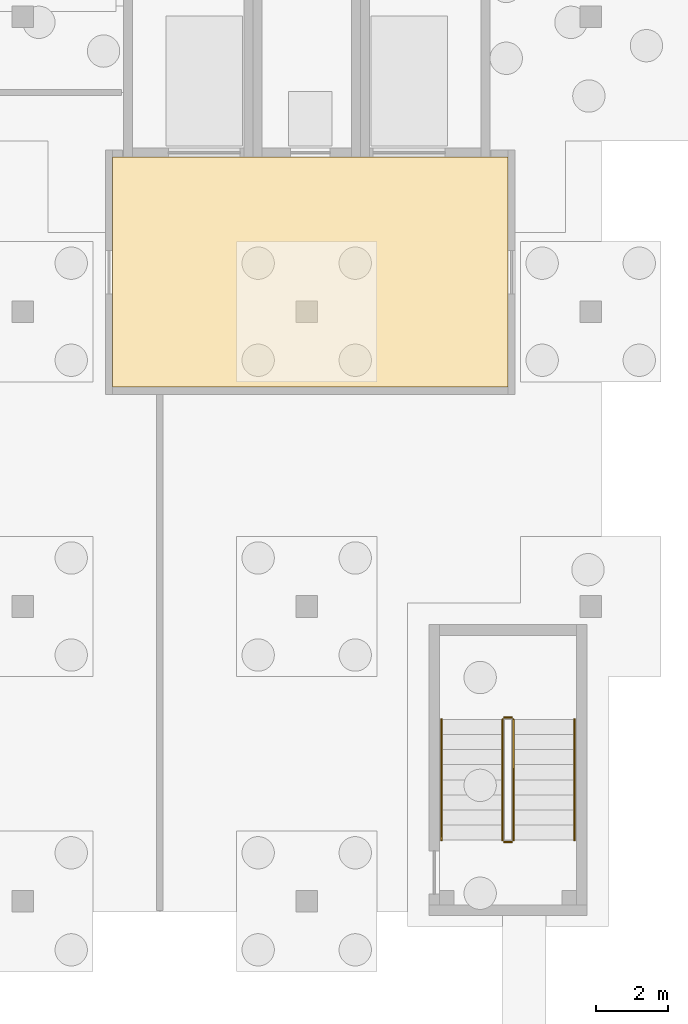
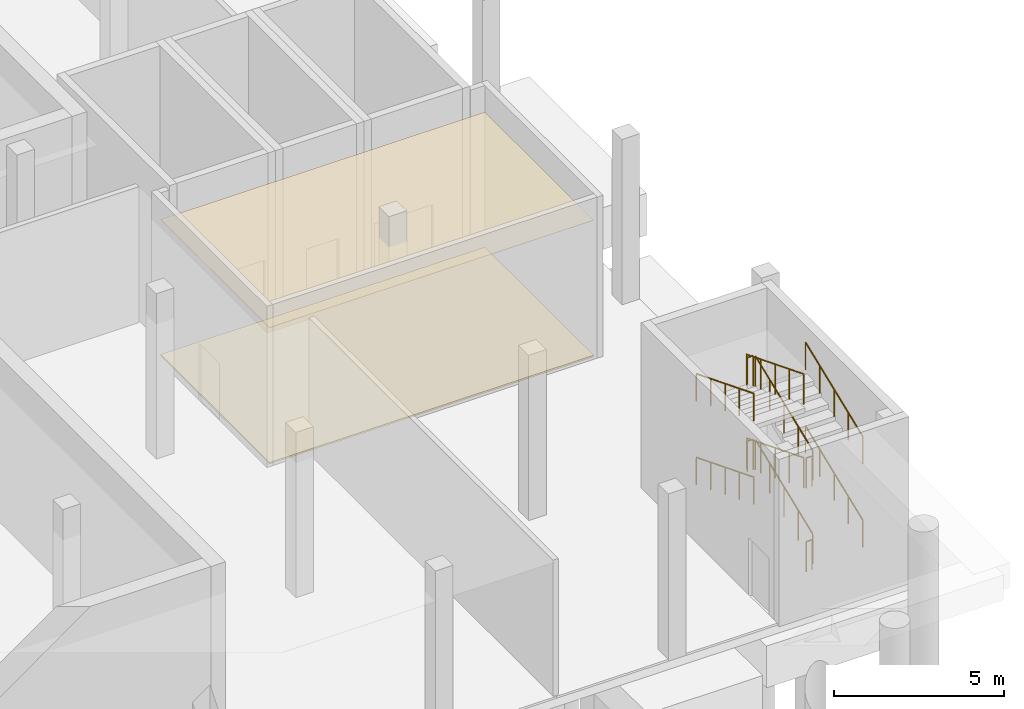
# One storey, part 62 of 66: 12 railings, 2 coverings.
"""IFC4 building model written with IfcOpenShell, lengths in metres."""

from ifc_helpers import new_model, si_unit, direction, frame, origin, origin_2d, place, context, subcontext, project, spatial, polyline, circle, outline, extrude, material, layer, layer_set, type_object, element, save


model = new_model("IFC4")

# Units and contexts
model_context = context("Model", 3, precision=1e-05, world=origin(), true_north=direction((0.0, 1.0)))
body_context = subcontext(model_context, "Body", "Model", "MODEL_VIEW")
ifc_project = project(units=[si_unit("LENGTHUNIT", "METRE"), si_unit("AREAUNIT", "SQUARE_METRE"), si_unit("VOLUMEUNIT", "CUBIC_METRE"), si_unit("PLANEANGLEUNIT", "RADIAN"), si_unit("MASSUNIT", "GRAM", prefix="KILO")], contexts=[model_context])

# Site, building, storey
site_placement = place(None, origin())
site = spatial("IfcSite", under=ifc_project, at=site_placement, CompositionType="ELEMENT")
building_placement = place(site_placement, origin())
building = spatial("IfcBuilding", under=site, at=building_placement, Name="Lunette Opera House", CompositionType="ELEMENT")
storey_placement = place(building_placement, frame((0.0, 0.0, -6.0)))
storey = spatial("IfcBuildingStorey", under=building, at=storey_placement, Name="B1", CompositionType="ELEMENT", Elevation=-6.0)

# Railings
ifc_material_1 = material(Name="Steel S355", Category="steel")
railing_type_1 = type_object("IfcRailingType", Name="STAIR GUARD 1100", PredefinedType="GUARDRAIL", material=ifc_material_1)
railing_1_placement = place(storey_placement, frame((181.550048828125, 80.0, 0.166748046875)))
element("IfcRailing", 1, at=railing_1_placement, inside=storey, type_object=railing_type_1, Name="B1 ST20 stair guard 1", PredefinedType="GUARDRAIL", context=body_context, shape_type="SweptSolid", body=[
    extrude(circle(Radius=0.02392578125, at=origin_2d()), frame((0.0, 0.0, 1.076171875), z_axis=(0.0, 0.929502471486, 0.368815882931), x_axis=(-1.0, 0.0, 0.0)), (0.0, 0.0, 1.0), 3.614990234375),
    extrude(circle(Radius=0.02099609375, at=origin_2d()), origin(), (0.0, 0.0, 1.0), 1.052001953125),
    extrude(circle(Radius=0.02099609375, at=origin_2d()), frame((0.0, 0.840087890625, 0.333251953125)), (0.0, 0.0, 1.0), 1.052001953125),
    extrude(circle(Radius=0.02099609375, at=origin_2d()), frame((0.0, 1.68017578125, 0.66650390625)), (0.0, 0.0, 1.0), 1.052001953125),
    extrude(circle(Radius=0.02099609375, at=origin_2d()), frame((0.0, 2.52001953125, 1.0)), (0.0, 0.0, 1.0), 1.052001953125),
    extrude(circle(Radius=0.02099609375, at=origin_2d()), frame((0.0, 3.360107421875, 1.333251953125)), (0.0, 0.0, 1.0), 1.052001953125),
])
railing_2_placement = place(storey_placement, frame((181.5, 83.409912109375, 1.5)))
element("IfcRailing", 2, at=railing_2_placement, inside=storey, type_object=railing_type_1, Name="B1 ST20 stair guard 2", PredefinedType="GUARDRAIL", context=body_context, shape_type="SweptSolid", body=[
    extrude(circle(Radius=0.02392578125, at=origin_2d()), frame((0.0, 0.0, 1.076171875), z_axis=(-1.0, 0.0, 0.0), x_axis=(0.0, -1.0, 0.0)), (0.0, 0.0, 1.0), 0.199951171875),
    extrude(circle(Radius=0.02099609375, at=origin_2d()), origin(), (0.0, 0.0, 1.0), 1.052001953125),
    extrude(circle(Radius=0.02099609375, at=origin_2d()), frame((-0.199951171875, 0.0, 0.0)), (0.0, 0.0, 1.0), 1.052001953125),
])
railing_3_placement = place(storey_placement, frame((181.25, 83.360107421875, 1.666748046875)))
element("IfcRailing", 3, at=railing_3_placement, inside=storey, type_object=railing_type_1, Name="B1 ST20 stair guard 3", PredefinedType="GUARDRAIL", context=body_context, shape_type="SweptSolid", body=[
    extrude(circle(Radius=0.02392578125, at=origin_2d()), frame((0.0, 0.0, 1.076171875), z_axis=(0.0, -0.929502471486, 0.368815882931), x_axis=(1.0, 0.0, 0.0)), (0.0, 0.0, 1.0), 3.614990234375),
    extrude(circle(Radius=0.02099609375, at=origin_2d()), origin(), (0.0, 0.0, 1.0), 1.052001953125),
    extrude(circle(Radius=0.02099609375, at=origin_2d()), frame((0.0, -0.840087890625, 0.333251953125)), (0.0, 0.0, 1.0), 1.052001953125),
    extrude(circle(Radius=0.02099609375, at=origin_2d()), frame((0.0, -1.68017578125, 0.66650390625)), (0.0, 0.0, 1.0), 1.052001953125),
    extrude(circle(Radius=0.02099609375, at=origin_2d()), frame((0.0, -2.52001953125, 1.0)), (0.0, 0.0, 1.0), 1.052001953125),
    extrude(circle(Radius=0.02099609375, at=origin_2d()), frame((0.0, -3.360107421875, 1.333251953125)), (0.0, 0.0, 1.0), 1.052001953125),
])
railing_4_placement = place(storey_placement, frame((181.5, 79.949951171875, 3.0)))
element("IfcRailing", 4, at=railing_4_placement, inside=storey, type_object=railing_type_1, Name="B1 ST20 stair guard 4", PredefinedType="GUARDRAIL", context=body_context, shape_type="SweptSolid", body=[
    extrude(circle(Radius=0.02392578125, at=origin_2d()), frame((0.0, 0.0, 1.076171875), z_axis=(-1.0, 0.0, 0.0), x_axis=(0.0, -1.0, 0.0)), (0.0, 0.0, 1.0), 0.199951171875),
    extrude(circle(Radius=0.02099609375, at=origin_2d()), origin(), (0.0, 0.0, 1.0), 1.052001953125),
    extrude(circle(Radius=0.02099609375, at=origin_2d()), frame((-0.199951171875, 0.0, 0.0)), (0.0, 0.0, 1.0), 1.052001953125),
])
railing_5_placement = place(storey_placement, frame((181.550048828125, 80.0, 3.166748046875)))
element("IfcRailing", 5, at=railing_5_placement, inside=storey, type_object=railing_type_1, Name="B1 ST20 stair guard 5", PredefinedType="GUARDRAIL", context=body_context, shape_type="SweptSolid", body=[
    extrude(circle(Radius=0.02392578125, at=origin_2d()), frame((0.0, 0.0, 1.076171875), z_axis=(0.0, 0.929502471486, 0.368815882931), x_axis=(-1.0, 0.0, 0.0)), (0.0, 0.0, 1.0), 3.614990234375),
    extrude(circle(Radius=0.02099609375, at=origin_2d()), origin(), (0.0, 0.0, 1.0), 1.052001953125),
    extrude(circle(Radius=0.02099609375, at=origin_2d()), frame((0.0, 0.840087890625, 0.333251953125)), (0.0, 0.0, 1.0), 1.052001953125),
    extrude(circle(Radius=0.02099609375, at=origin_2d()), frame((0.0, 1.68017578125, 0.66650390625)), (0.0, 0.0, 1.0), 1.052001953125),
    extrude(circle(Radius=0.02099609375, at=origin_2d()), frame((0.0, 2.52001953125, 1.0)), (0.0, 0.0, 1.0), 1.052001953125),
    extrude(circle(Radius=0.02099609375, at=origin_2d()), frame((0.0, 3.360107421875, 1.333251953125)), (0.0, 0.0, 1.0), 1.052001953125),
])
railing_6_placement = place(storey_placement, frame((181.5, 83.409912109375, 4.5)))
element("IfcRailing", 6, at=railing_6_placement, inside=storey, type_object=railing_type_1, Name="B1 ST20 stair guard 6", PredefinedType="GUARDRAIL", context=body_context, shape_type="SweptSolid", body=[
    extrude(circle(Radius=0.02392578125, at=origin_2d()), frame((0.0, 0.0, 1.076171875), z_axis=(-1.0, 0.0, 0.0), x_axis=(0.0, -1.0, 0.0)), (0.0, 0.0, 1.0), 0.199951171875),
    extrude(circle(Radius=0.02099609375, at=origin_2d()), origin(), (0.0, 0.0, 1.0), 1.052001953125),
    extrude(circle(Radius=0.02099609375, at=origin_2d()), frame((-0.199951171875, 0.0, 0.0)), (0.0, 0.0, 1.0), 1.052001953125),
])
railing_7_placement = place(storey_placement, frame((181.25, 83.360107421875, 4.666748046875)))
element("IfcRailing", 7, at=railing_7_placement, inside=storey, type_object=railing_type_1, Name="B1 ST20 stair guard 7", PredefinedType="GUARDRAIL", context=body_context, shape_type="SweptSolid", body=[
    extrude(circle(Radius=0.02392578125, at=origin_2d()), frame((0.0, 0.0, 1.076171875), z_axis=(0.0, -0.929502471486, 0.368815882931), x_axis=(1.0, 0.0, 0.0)), (0.0, 0.0, 1.0), 3.614990234375),
    extrude(circle(Radius=0.02099609375, at=origin_2d()), origin(), (0.0, 0.0, 1.0), 1.052001953125),
    extrude(circle(Radius=0.02099609375, at=origin_2d()), frame((0.0, -0.840087890625, 0.333251953125)), (0.0, 0.0, 1.0), 1.052001953125),
    extrude(circle(Radius=0.02099609375, at=origin_2d()), frame((0.0, -1.68017578125, 0.66650390625)), (0.0, 0.0, 1.0), 1.052001953125),
    extrude(circle(Radius=0.02099609375, at=origin_2d()), frame((0.0, -2.52001953125, 1.0)), (0.0, 0.0, 1.0), 1.052001953125),
    extrude(circle(Radius=0.02099609375, at=origin_2d()), frame((0.0, -3.360107421875, 1.333251953125)), (0.0, 0.0, 1.0), 1.052001953125),
])
railing_8_placement = place(storey_placement, frame((181.5, 79.949951171875, 0.0)))
element("IfcRailing", 8, at=railing_8_placement, inside=storey, type_object=railing_type_1, Name="B1 ST20 stair guard 8", PredefinedType="GUARDRAIL", context=body_context, shape_type="SweptSolid", body=[
    extrude(circle(Radius=0.02392578125, at=origin_2d()), frame((0.0, 0.0, 1.076171875), z_axis=(-1.0, 0.0, 0.0), x_axis=(0.0, -1.0, 0.0)), (0.0, 0.0, 1.0), 0.199951171875),
    extrude(circle(Radius=0.02099609375, at=origin_2d()), origin(), (0.0, 0.0, 1.0), 1.052001953125),
    extrude(circle(Radius=0.02099609375, at=origin_2d()), frame((-0.199951171875, 0.0, 0.0)), (0.0, 0.0, 1.0), 1.052001953125),
])
ifc_material_2 = material(Name="Steel S355", Category="steel")
railing_type_2 = type_object("IfcRailingType", Name="STAIR HANDRAIL 1000", PredefinedType="HANDRAIL", material=ifc_material_2)
railing_9_placement = place(storey_placement, frame((183.25, 80.0, 0.166748046875)))
element("IfcRailing", 9, at=railing_9_placement, inside=storey, type_object=railing_type_2, Name="B1 ST20 stair handrail 1", PredefinedType="HANDRAIL", context=body_context, shape_type="SweptSolid", body=[
    extrude(circle(Radius=0.02392578125, at=origin_2d()), frame((0.0, 0.0, 0.97607421875), z_axis=(0.0, 0.929502471486, 0.368815882931), x_axis=(-1.0, 0.0, 0.0)), (0.0, 0.0, 1.0), 3.614990234375),
    extrude(circle(Radius=0.02099609375, at=origin_2d()), origin(), (0.0, 0.0, 1.0), 0.951904296875),
    extrude(circle(Radius=0.02099609375, at=origin_2d()), frame((0.0, 0.840087890625, 0.333251953125)), (0.0, 0.0, 1.0), 0.951904296875),
    extrude(circle(Radius=0.02099609375, at=origin_2d()), frame((0.0, 1.68017578125, 0.66650390625)), (0.0, 0.0, 1.0), 0.951904296875),
    extrude(circle(Radius=0.02099609375, at=origin_2d()), frame((0.0, 2.52001953125, 1.0)), (0.0, 0.0, 1.0), 0.951904296875),
    extrude(circle(Radius=0.02099609375, at=origin_2d()), frame((0.0, 3.360107421875, 1.333251953125)), (0.0, 0.0, 1.0), 0.951904296875),
])
railing_10_placement = place(storey_placement, frame((179.550048828125, 83.360107421875, 1.666748046875)))
element("IfcRailing", 10, at=railing_10_placement, inside=storey, type_object=railing_type_2, Name="B1 ST20 stair handrail 2", PredefinedType="HANDRAIL", context=body_context, shape_type="SweptSolid", body=[
    extrude(circle(Radius=0.02392578125, at=origin_2d()), frame((0.0, 0.0, 0.97607421875), z_axis=(0.0, -0.929502471486, 0.368815882931), x_axis=(1.0, 0.0, 0.0)), (0.0, 0.0, 1.0), 3.614990234375),
    extrude(circle(Radius=0.02099609375, at=origin_2d()), origin(), (0.0, 0.0, 1.0), 0.951904296875),
    extrude(circle(Radius=0.02099609375, at=origin_2d()), frame((0.0, -0.840087890625, 0.333251953125)), (0.0, 0.0, 1.0), 0.951904296875),
    extrude(circle(Radius=0.02099609375, at=origin_2d()), frame((0.0, -1.68017578125, 0.66650390625)), (0.0, 0.0, 1.0), 0.951904296875),
    extrude(circle(Radius=0.02099609375, at=origin_2d()), frame((0.0, -2.52001953125, 1.0)), (0.0, 0.0, 1.0), 0.951904296875),
    extrude(circle(Radius=0.02099609375, at=origin_2d()), frame((0.0, -3.360107421875, 1.333251953125)), (0.0, 0.0, 1.0), 0.951904296875),
])
railing_11_placement = place(storey_placement, frame((183.25, 80.0, 3.166748046875)))
element("IfcRailing", 11, at=railing_11_placement, inside=storey, type_object=railing_type_2, Name="B1 ST20 stair handrail 3", PredefinedType="HANDRAIL", context=body_context, shape_type="SweptSolid", body=[
    extrude(circle(Radius=0.02392578125, at=origin_2d()), frame((0.0, 0.0, 0.97607421875), z_axis=(0.0, 0.929502471486, 0.368815882931), x_axis=(-1.0, 0.0, 0.0)), (0.0, 0.0, 1.0), 3.614990234375),
    extrude(circle(Radius=0.02099609375, at=origin_2d()), origin(), (0.0, 0.0, 1.0), 0.951904296875),
    extrude(circle(Radius=0.02099609375, at=origin_2d()), frame((0.0, 0.840087890625, 0.333251953125)), (0.0, 0.0, 1.0), 0.951904296875),
    extrude(circle(Radius=0.02099609375, at=origin_2d()), frame((0.0, 1.68017578125, 0.66650390625)), (0.0, 0.0, 1.0), 0.951904296875),
    extrude(circle(Radius=0.02099609375, at=origin_2d()), frame((0.0, 2.52001953125, 1.0)), (0.0, 0.0, 1.0), 0.951904296875),
    extrude(circle(Radius=0.02099609375, at=origin_2d()), frame((0.0, 3.360107421875, 1.333251953125)), (0.0, 0.0, 1.0), 0.951904296875),
])
railing_12_placement = place(storey_placement, frame((179.550048828125, 83.360107421875, 4.666748046875)))
element("IfcRailing", 12, at=railing_12_placement, inside=storey, type_object=railing_type_2, Name="B1 ST20 stair handrail 4", PredefinedType="HANDRAIL", context=body_context, shape_type="SweptSolid", body=[
    extrude(circle(Radius=0.02392578125, at=origin_2d()), frame((0.0, 0.0, 0.97607421875), z_axis=(0.0, -0.929502471486, 0.368815882931), x_axis=(1.0, 0.0, 0.0)), (0.0, 0.0, 1.0), 3.614990234375),
    extrude(circle(Radius=0.02099609375, at=origin_2d()), origin(), (0.0, 0.0, 1.0), 0.951904296875),
    extrude(circle(Radius=0.02099609375, at=origin_2d()), frame((0.0, -0.840087890625, 0.333251953125)), (0.0, 0.0, 1.0), 0.951904296875),
    extrude(circle(Radius=0.02099609375, at=origin_2d()), frame((0.0, -1.68017578125, 0.66650390625)), (0.0, 0.0, 1.0), 0.951904296875),
    extrude(circle(Radius=0.02099609375, at=origin_2d()), frame((0.0, -2.52001953125, 1.0)), (0.0, 0.0, 1.0), 0.951904296875),
    extrude(circle(Radius=0.02099609375, at=origin_2d()), frame((0.0, -3.360107421875, 1.333251953125)), (0.0, 0.0, 1.0), 0.951904296875),
])

# Coverings
ifc_material_3 = material(Name="Mineral fibre board")
ifc_layer_1 = layer(ifc_material_3, 0.014892578125)
ifc_layer_set_1 = layer_set([ifc_layer_1], Name="Mineral fibre board")
covering_type_1 = type_object("IfcCoveringType", Name="SUSPENDED ACOUSTIC CEILING 15", PredefinedType="CEILING", material=ifc_layer_set_1)
covering_1_placement = place(storey_placement, frame((0.0, 0.0, 4.885009765625)))
element("IfcCovering", 13, at=covering_1_placement, inside=storey, type_object=covering_type_1, Name="Ceiling Lift Lobby B1 Goods", PredefinedType="CEILING", context=body_context, shape_type="SweptSolid", body=[
    extrude(outline(polyline([(181.39990234375, 92.60009765625), (181.39990234375, 99.0), (170.39990234375, 99.0), (170.39990234375, 92.60009765625), (181.39990234375, 92.60009765625)])), origin(), (0.0, 0.0, 1.0), 0.014892578125),
])
ifc_material_4 = material(Name="Terrazzo")
ifc_layer_2 = layer(ifc_material_4, 0.06005859375)
ifc_layer_set_2 = layer_set([ifc_layer_2], Name="Terrazzo")
covering_type_2 = type_object("IfcCoveringType", Name="TERRAZZO FLOOR FINISH 60", PredefinedType="FLOORING", material=ifc_layer_set_2)
covering_2_placement = place(storey_placement, origin())
element("IfcCovering", 14, at=covering_2_placement, inside=storey, type_object=covering_type_2, Name="Floor finish Lift Lobby B1 Goods", PredefinedType="FLOORING", context=body_context, shape_type="SweptSolid", body=[
    extrude(outline(polyline([(181.39990234375, 92.60009765625), (181.39990234375, 99.0), (170.39990234375, 99.0), (170.39990234375, 92.60009765625), (181.39990234375, 92.60009765625)])), origin(), (0.0, 0.0, 1.0), 0.06005859375),
])

save(model, "model.ifc")
